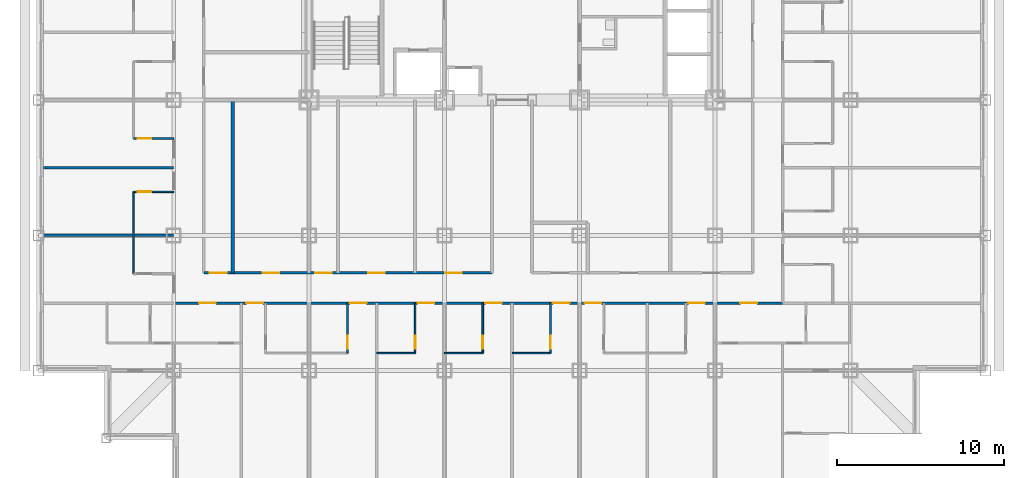
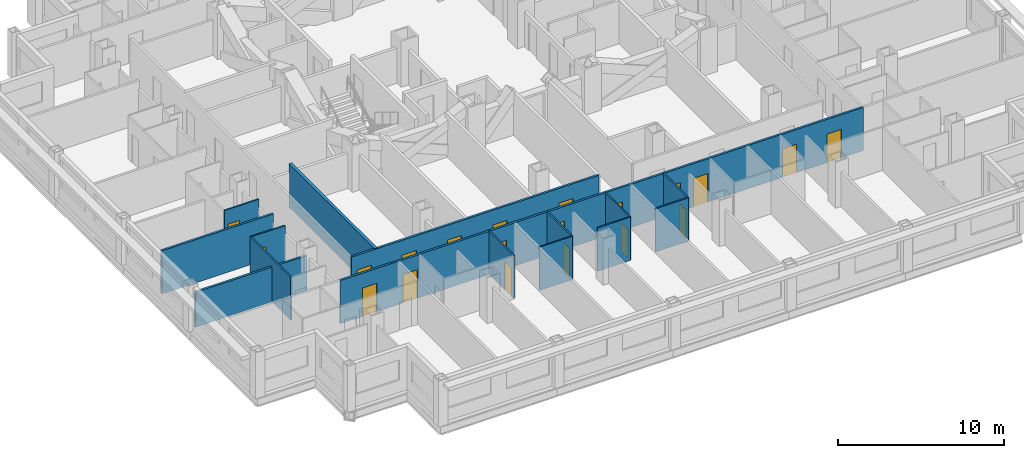
# One storey, part 4 of 13: 20 doors, 15 walls, 20 openings.
"""IFC4 building model written with IfcOpenShell, lengths in metres."""

from ifc_helpers import new_model, si_unit, direction, frame, frame_2d, origin, place, context, subcontext, project, spatial, rectangle, extrude, material, layer, layer_set, type_object, element, fill, save


model = new_model("IFC4")

# Units and contexts
model_context = context("Model", 3, precision=1e-05, world=origin(), true_north=direction((0.0, 1.0)))
body_context = subcontext(model_context, "Body", "Model", "MODEL_VIEW")
ifc_project = project(units=[si_unit("LENGTHUNIT", "METRE"), si_unit("AREAUNIT", "SQUARE_METRE"), si_unit("VOLUMEUNIT", "CUBIC_METRE"), si_unit("PLANEANGLEUNIT", "RADIAN"), si_unit("MASSUNIT", "GRAM", prefix="KILO")], contexts=[model_context])

# Site, building, storey
site_placement = place(None, origin())
site = spatial("IfcSite", under=ifc_project, at=site_placement, CompositionType="ELEMENT")
building_placement = place(site_placement, origin())
building = spatial("IfcBuilding", under=site, at=building_placement, Name="Kopane Lantern Tower", CompositionType="ELEMENT")
storey_placement = place(building_placement, frame((0.0, 0.0, 63.60009765625)))
storey = spatial("IfcBuildingStorey", under=building, at=storey_placement, Name="L15", CompositionType="ELEMENT", Elevation=63.60009765625)

# Wall, opening, door
ifc_material_1 = material(Name="Moisture-resistant board on steel studs", Category="steel")
ifc_layer_1 = layer(ifc_material_1, 0.10009765625)
ifc_layer_set_1 = layer_set([ifc_layer_1], Name="BATHROOM WALL 100")
wall_type_1 = type_object("IfcWallType", Name="BATHROOM WALL 100", PredefinedType="PARTITIONING", material=ifc_layer_set_1)
wall_1_placement = place(storey_placement, frame((18.5, 12.14990234375, 0.0), z_axis=(0.0, 0.0, 1.0), x_axis=(0.0, -1.0, 0.0)))
wall_1 = element("IfcWall", 1, at=wall_1_placement, inside=storey, type_object=wall_type_1, Name="Bathroom Wall 100 L15", PredefinedType="PARTITIONING", context=body_context, shape_type="SweptSolid", body=[
    extrude(rectangle(XDim=3.0, YDim=0.10009765625, at=frame_2d((1.5, 0.0))), origin(), (0.0, 0.0, 1.0), 3.18994140625),
])
opening_1_placement = place(wall_1_placement, frame((1.949951171875, 0.0, 0.0)))
opening_1 = element("IfcOpeningElement", 2, at=opening_1_placement, cuts=wall_1, Name="Opening L15-017", PredefinedType="OPENING", context=body_context, shape_type="SweptSolid", body=[
    extrude(rectangle(XDim=0.800048828125, YDim=2.10009765625, at=frame_2d((0.39990234375, 1.050048828125))), frame((0.0, 0.06005859375, 0.0), z_axis=(0.0, -1.0, 0.0), x_axis=(1.0, 0.0, 0.0)), (0.0, 0.0, 1.0), 0.1201171875),
])
ifc_material_2 = material(Name="Timber door set", Category="wood")
door_type_1 = type_object("IfcDoorType", Name="DOOR D2 800x2100", OperationType="SINGLE_SWING_LEFT", PredefinedType="DOOR", material=ifc_material_2)
door_1_placement = place(opening_1_placement, origin())
door_1 = element("IfcDoor", 3, at=door_1_placement, inside=storey, type_object=door_type_1, Name="Door L15-017", OperationType="SINGLE_SWING_LEFT", OverallHeight=2.10009765625, OverallWidth=0.800048828125, PredefinedType="DOOR", context=body_context, shape_type="SweptSolid", body=[
    extrude(rectangle(XDim=0.800048828125, YDim=2.10009765625, at=frame_2d((0.39990234375, 1.050048828125))), frame((0.0, 0.02490234375, 0.0), z_axis=(0.0, -1.0, 0.0), x_axis=(1.0, 0.0, 0.0)), (0.0, 0.0, 1.0), 0.050048828125),
])
fill(opening_1, door_1)

# Wall
wall_2_placement = place(storey_placement, frame((20.25, 9.14990234375, 0.0), z_axis=(0.0, 0.0, 1.0), x_axis=(1.0, 0.0, 0.0)))
element("IfcWall", 4, at=wall_2_placement, inside=storey, type_object=wall_type_1, Name="Bathroom Wall 100 L15", PredefinedType="PARTITIONING", context=body_context, shape_type="SweptSolid", body=[
    extrude(rectangle(XDim=2.300048828125, YDim=0.10009765625, at=frame_2d((1.14990234375, 0.0))), origin(), (0.0, 0.0, 1.0), 3.18994140625),
])

# Wall, opening, door
wall_3_placement = place(storey_placement, frame((22.550048828125, 12.14990234375, 0.0), z_axis=(0.0, 0.0, 1.0), x_axis=(0.0, -1.0, 0.0)))
wall_3 = element("IfcWall", 5, at=wall_3_placement, inside=storey, type_object=wall_type_1, Name="Bathroom Wall 100 L15", PredefinedType="PARTITIONING", context=body_context, shape_type="SweptSolid", body=[
    extrude(rectangle(XDim=3.0, YDim=0.10009765625, at=frame_2d((1.5, 0.0))), origin(), (0.0, 0.0, 1.0), 3.18994140625),
])
opening_2_placement = place(wall_3_placement, frame((1.949951171875, 0.0, 0.0)))
opening_2 = element("IfcOpeningElement", 6, at=opening_2_placement, cuts=wall_3, Name="Opening L15-019", PredefinedType="OPENING", context=body_context, shape_type="SweptSolid", body=[
    extrude(rectangle(XDim=0.800048828125, YDim=2.10009765625, at=frame_2d((0.39990234375, 1.050048828125))), frame((0.0, 0.06005859375, 0.0), z_axis=(0.0, -1.0, 0.0), x_axis=(1.0, 0.0, 0.0)), (0.0, 0.0, 1.0), 0.1201171875),
])
door_2_placement = place(opening_2_placement, origin())
door_2 = element("IfcDoor", 7, at=door_2_placement, inside=storey, type_object=door_type_1, Name="Door L15-019", OperationType="SINGLE_SWING_LEFT", OverallHeight=2.10009765625, OverallWidth=0.800048828125, PredefinedType="DOOR", context=body_context, shape_type="SweptSolid", body=[
    extrude(rectangle(XDim=0.800048828125, YDim=2.10009765625, at=frame_2d((0.39990234375, 1.050048828125))), frame((0.0, 0.02490234375, 0.0), z_axis=(0.0, -1.0, 0.0), x_axis=(1.0, 0.0, 0.0)), (0.0, 0.0, 1.0), 0.050048828125),
])
fill(opening_2, door_2)

# Wall
wall_4_placement = place(storey_placement, frame((24.300048828125, 9.14990234375, 0.0), z_axis=(0.0, 0.0, 1.0), x_axis=(1.0, 0.0, 0.0)))
element("IfcWall", 8, at=wall_4_placement, inside=storey, type_object=wall_type_1, Name="Bathroom Wall 100 L15", PredefinedType="PARTITIONING", context=body_context, shape_type="SweptSolid", body=[
    extrude(rectangle(XDim=2.300048828125, YDim=0.10009765625, at=frame_2d((1.14990234375, 0.0))), origin(), (0.0, 0.0, 1.0), 3.18994140625),
])

# Wall, opening, door
wall_5_placement = place(storey_placement, frame((26.60009765625, 12.14990234375, 0.0), z_axis=(0.0, 0.0, 1.0), x_axis=(0.0, -1.0, 0.0)))
wall_5 = element("IfcWall", 9, at=wall_5_placement, inside=storey, type_object=wall_type_1, Name="Bathroom Wall 100 L15", PredefinedType="PARTITIONING", context=body_context, shape_type="SweptSolid", body=[
    extrude(rectangle(XDim=3.0, YDim=0.10009765625, at=frame_2d((1.5, 0.0))), origin(), (0.0, 0.0, 1.0), 3.18994140625),
])
opening_3_placement = place(wall_5_placement, frame((1.949951171875, 0.0, 0.0)))
opening_3 = element("IfcOpeningElement", 10, at=opening_3_placement, cuts=wall_5, Name="Opening L15-021", PredefinedType="OPENING", context=body_context, shape_type="SweptSolid", body=[
    extrude(rectangle(XDim=0.800048828125, YDim=2.10009765625, at=frame_2d((0.39990234375, 1.050048828125))), frame((0.0, 0.06005859375, 0.0), z_axis=(0.0, -1.0, 0.0), x_axis=(1.0, 0.0, 0.0)), (0.0, 0.0, 1.0), 0.1201171875),
])
door_3_placement = place(opening_3_placement, origin())
door_3 = element("IfcDoor", 11, at=door_3_placement, inside=storey, type_object=door_type_1, Name="Door L15-021", OperationType="SINGLE_SWING_LEFT", OverallHeight=2.10009765625, OverallWidth=0.800048828125, PredefinedType="DOOR", context=body_context, shape_type="SweptSolid", body=[
    extrude(rectangle(XDim=0.800048828125, YDim=2.10009765625, at=frame_2d((0.39990234375, 1.050048828125))), frame((0.0, 0.02490234375, 0.0), z_axis=(0.0, -1.0, 0.0), x_axis=(1.0, 0.0, 0.0)), (0.0, 0.0, 1.0), 0.050048828125),
])
fill(opening_3, door_3)

# Wall
wall_6_placement = place(storey_placement, frame((28.35009765625, 9.14990234375, 0.0), z_axis=(0.0, 0.0, 1.0), x_axis=(1.0, 0.0, 0.0)))
element("IfcWall", 12, at=wall_6_placement, inside=storey, type_object=wall_type_1, Name="Bathroom Wall 100 L15", PredefinedType="PARTITIONING", context=body_context, shape_type="SweptSolid", body=[
    extrude(rectangle(XDim=2.2998046875, YDim=0.10009765625, at=frame_2d((1.14990234375, 0.0))), origin(), (0.0, 0.0, 1.0), 3.18994140625),
])

# Wall, opening, door
wall_7_placement = place(storey_placement, frame((30.64990234375, 12.14990234375, 0.0), z_axis=(0.0, 0.0, 1.0), x_axis=(0.0, -1.0, 0.0)))
wall_7 = element("IfcWall", 13, at=wall_7_placement, inside=storey, type_object=wall_type_1, Name="Bathroom Wall 100 L15", PredefinedType="PARTITIONING", context=body_context, shape_type="SweptSolid", body=[
    extrude(rectangle(XDim=3.0, YDim=0.10009765625, at=frame_2d((1.5, 0.0))), origin(), (0.0, 0.0, 1.0), 3.18994140625),
])
opening_4_placement = place(wall_7_placement, frame((1.949951171875, 0.0, 0.0)))
opening_4 = element("IfcOpeningElement", 14, at=opening_4_placement, cuts=wall_7, Name="Opening L15-023", PredefinedType="OPENING", context=body_context, shape_type="SweptSolid", body=[
    extrude(rectangle(XDim=0.800048828125, YDim=2.10009765625, at=frame_2d((0.39990234375, 1.050048828125))), frame((0.0, 0.06005859375, 0.0), z_axis=(0.0, -1.0, 0.0), x_axis=(1.0, 0.0, 0.0)), (0.0, 0.0, 1.0), 0.1201171875),
])
door_4_placement = place(opening_4_placement, origin())
door_4 = element("IfcDoor", 15, at=door_4_placement, inside=storey, type_object=door_type_1, Name="Door L15-023", OperationType="SINGLE_SWING_LEFT", OverallHeight=2.10009765625, OverallWidth=0.800048828125, PredefinedType="DOOR", context=body_context, shape_type="SweptSolid", body=[
    extrude(rectangle(XDim=0.800048828125, YDim=2.10009765625, at=frame_2d((0.39990234375, 1.050048828125))), frame((0.0, 0.02490234375, 0.0), z_axis=(0.0, -1.0, 0.0), x_axis=(1.0, 0.0, 0.0)), (0.0, 0.0, 1.0), 0.050048828125),
])
fill(opening_4, door_4)

# Wall
wall_8_placement = place(storey_placement, frame((5.699951171875, 13.89990234375, 0.0), z_axis=(0.0, 0.0, 1.0), x_axis=(0.0, 1.0, 0.0)))
element("IfcWall", 16, at=wall_8_placement, inside=storey, type_object=wall_type_1, Name="Bathroom Wall 100 L15", PredefinedType="PARTITIONING", context=body_context, shape_type="SweptSolid", body=[
    extrude(rectangle(XDim=4.900146484375, YDim=0.10009765625, at=frame_2d((2.4501953125, 0.0))), origin(), (0.0, 0.0, 1.0), 3.18994140625),
])

# Wall, opening, door
wall_9_placement = place(storey_placement, frame((8.10009765625, 18.800048828125, 0.0), z_axis=(0.0, 0.0, 1.0), x_axis=(-1.0, 0.0, 0.0)))
wall_9 = element("IfcWall", 17, at=wall_9_placement, inside=storey, type_object=wall_type_1, Name="Bathroom Wall 100 L15", PredefinedType="PARTITIONING", context=body_context, shape_type="SweptSolid", body=[
    extrude(rectangle(XDim=2.400146484375, YDim=0.10009765625, at=frame_2d((1.2001953125, 0.0))), origin(), (0.0, 0.0, 1.0), 3.18994140625),
])
opening_5_placement = place(wall_9_placement, frame((1.35009765625, 0.0, 0.0)))
opening_5 = element("IfcOpeningElement", 18, at=opening_5_placement, cuts=wall_9, Name="Opening L15-043", PredefinedType="OPENING", context=body_context, shape_type="SweptSolid", body=[
    extrude(rectangle(XDim=0.800048828125, YDim=2.10009765625, at=frame_2d((0.39990234375, 1.050048828125))), frame((0.0, 0.06005859375, 0.0), z_axis=(0.0, -1.0, 0.0), x_axis=(1.0, 0.0, 0.0)), (0.0, 0.0, 1.0), 0.1201171875),
])
door_5_placement = place(opening_5_placement, origin())
door_5 = element("IfcDoor", 19, at=door_5_placement, inside=storey, type_object=door_type_1, Name="Door L15-043", OperationType="SINGLE_SWING_RIGHT", OverallHeight=2.10009765625, OverallWidth=0.800048828125, PredefinedType="DOOR", context=body_context, shape_type="SweptSolid", body=[
    extrude(rectangle(XDim=0.800048828125, YDim=2.10009765625, at=frame_2d((0.39990234375, 1.050048828125))), frame((0.0, 0.02490234375, 0.0), z_axis=(0.0, -1.0, 0.0), x_axis=(1.0, 0.0, 0.0)), (0.0, 0.0, 1.0), 0.050048828125),
])
fill(opening_5, door_5)

wall_10_placement = place(storey_placement, frame((8.10009765625, 22.0, 0.0), z_axis=(0.0, 0.0, 1.0), x_axis=(-1.0, 0.0, 0.0)))
wall_10 = element("IfcWall", 20, at=wall_10_placement, inside=storey, type_object=wall_type_1, Name="Bathroom Wall 100 L15", PredefinedType="PARTITIONING", context=body_context, shape_type="SweptSolid", body=[
    extrude(rectangle(XDim=2.400146484375, YDim=0.10009765625, at=frame_2d((1.2001953125, 0.0))), origin(), (0.0, 0.0, 1.0), 3.18994140625),
])
opening_6_placement = place(wall_10_placement, frame((1.35009765625, 0.0, 0.0)))
opening_6 = element("IfcOpeningElement", 21, at=opening_6_placement, cuts=wall_10, Name="Opening L15-045", PredefinedType="OPENING", context=body_context, shape_type="SweptSolid", body=[
    extrude(rectangle(XDim=0.800048828125, YDim=2.10009765625, at=frame_2d((0.39990234375, 1.050048828125))), frame((0.0, 0.06005859375, 0.0), z_axis=(0.0, -1.0, 0.0), x_axis=(1.0, 0.0, 0.0)), (0.0, 0.0, 1.0), 0.1201171875),
])
door_6_placement = place(opening_6_placement, origin())
door_6 = element("IfcDoor", 22, at=door_6_placement, inside=storey, type_object=door_type_1, Name="Door L15-045", OperationType="SINGLE_SWING_LEFT", OverallHeight=2.10009765625, OverallWidth=0.800048828125, PredefinedType="DOOR", context=body_context, shape_type="SweptSolid", body=[
    extrude(rectangle(XDim=0.800048828125, YDim=2.10009765625, at=frame_2d((0.39990234375, 1.050048828125))), frame((0.0, 0.02490234375, 0.0), z_axis=(0.0, -1.0, 0.0), x_axis=(1.0, 0.0, 0.0)), (0.0, 0.0, 1.0), 0.050048828125),
])
fill(opening_6, door_6)

# Wall, openings, doors
ifc_material_3 = material(Name="Gypsum board on steel studs", Category="steel")
ifc_layer_2 = layer(ifc_material_3, 0.14990234375)
ifc_layer_set_2 = layer_set([ifc_layer_2], Name="CORRIDOR WALL 150 EI 60")
wall_type_2 = type_object("IfcWallType", Name="CORRIDOR WALL 150 EI 60", PredefinedType="PARTITIONING", material=ifc_layer_set_2)
wall_11_placement = place(storey_placement, frame((8.10009765625, 12.14990234375, 0.0), z_axis=(0.0, 0.0, 1.0), x_axis=(1.0, 0.0, 0.0)))
wall_11 = element("IfcWall", 23, at=wall_11_placement, inside=storey, type_object=wall_type_2, Name="Corridor Wall 150 Ei 60 L15", PredefinedType="PARTITIONING", context=body_context, shape_type="SweptSolid", body=[
    extrude(rectangle(XDim=36.449951171875, YDim=0.14990234375, at=frame_2d((18.22509765625, 0.0))), origin(), (0.0, 0.0, 1.0), 3.18994140625),
])
opening_7_placement = place(wall_11_placement, frame((4.35009765625, 0.0, 0.0)))
opening_7 = element("IfcOpeningElement", 24, at=opening_7_placement, cuts=wall_11, Name="Opening L15-016", PredefinedType="OPENING", context=body_context, shape_type="SweptSolid", body=[
    extrude(rectangle(XDim=1.0, YDim=2.10009765625, at=frame_2d((0.5, 1.050048828125))), frame((0.0, 0.0849609375, 0.0), z_axis=(0.0, -1.0, 0.0), x_axis=(1.0, 0.0, 0.0)), (0.0, 0.0, 1.0), 0.169921875),
])
opening_8_placement = place(wall_11_placement, frame((10.550048828125, 0.0, 0.0)))
opening_8 = element("IfcOpeningElement", 25, at=opening_8_placement, cuts=wall_11, Name="Opening L15-018", PredefinedType="OPENING", context=body_context, shape_type="SweptSolid", body=[
    extrude(rectangle(XDim=1.0, YDim=2.10009765625, at=frame_2d((0.5, 1.050048828125))), frame((0.0, 0.0849609375, 0.0), z_axis=(0.0, -1.0, 0.0), x_axis=(1.0, 0.0, 0.0)), (0.0, 0.0, 1.0), 0.169921875),
])
opening_9_placement = place(wall_11_placement, frame((14.60009765625, 0.0, 0.0)))
opening_9 = element("IfcOpeningElement", 26, at=opening_9_placement, cuts=wall_11, Name="Opening L15-020", PredefinedType="OPENING", context=body_context, shape_type="SweptSolid", body=[
    extrude(rectangle(XDim=1.0, YDim=2.10009765625, at=frame_2d((0.5, 1.050048828125))), frame((0.0, 0.0849609375, 0.0), z_axis=(0.0, -1.0, 0.0), x_axis=(1.0, 0.0, 0.0)), (0.0, 0.0, 1.0), 0.169921875),
])
opening_10_placement = place(wall_11_placement, frame((18.64990234375, 0.0, 0.0)))
opening_10 = element("IfcOpeningElement", 27, at=opening_10_placement, cuts=wall_11, Name="Opening L15-022", PredefinedType="OPENING", context=body_context, shape_type="SweptSolid", body=[
    extrude(rectangle(XDim=1.0, YDim=2.10009765625, at=frame_2d((0.5, 1.050048828125))), frame((0.0, 0.0849609375, 0.0), z_axis=(0.0, -1.0, 0.0), x_axis=(1.0, 0.0, 0.0)), (0.0, 0.0, 1.0), 0.169921875),
])
opening_11_placement = place(wall_11_placement, frame((22.699951171875, 0.0, 0.0)))
opening_11 = element("IfcOpeningElement", 28, at=opening_11_placement, cuts=wall_11, Name="Opening L15-024", PredefinedType="OPENING", context=body_context, shape_type="SweptSolid", body=[
    extrude(rectangle(XDim=1.0, YDim=2.10009765625, at=frame_2d((0.5, 1.050048828125))), frame((0.0, 0.0849609375, 0.0), z_axis=(0.0, -1.0, 0.0), x_axis=(1.0, 0.0, 0.0)), (0.0, 0.0, 1.0), 0.169921875),
])
opening_12_placement = place(wall_11_placement, frame((24.60009765625, 0.0, 0.0)))
opening_12 = element("IfcOpeningElement", 29, at=opening_12_placement, cuts=wall_11, Name="Opening L15-026", PredefinedType="OPENING", context=body_context, shape_type="SweptSolid", body=[
    extrude(rectangle(XDim=1.0, YDim=2.10009765625, at=frame_2d((0.5, 1.050048828125))), frame((0.0, 0.0849609375, 0.0), z_axis=(0.0, -1.0, 0.0), x_axis=(1.0, 0.0, 0.0)), (0.0, 0.0, 1.0), 0.169921875),
])
opening_13_placement = place(wall_11_placement, frame((30.800048828125, 0.0, 0.0)))
opening_13 = element("IfcOpeningElement", 30, at=opening_13_placement, cuts=wall_11, Name="Opening L15-028", PredefinedType="OPENING", context=body_context, shape_type="SweptSolid", body=[
    extrude(rectangle(XDim=1.0, YDim=2.10009765625, at=frame_2d((0.5, 1.050048828125))), frame((0.0, 0.0849609375, 0.0), z_axis=(0.0, -1.0, 0.0), x_axis=(1.0, 0.0, 0.0)), (0.0, 0.0, 1.0), 0.169921875),
])
opening_14_placement = place(wall_11_placement, frame((1.52490234375, 0.0, 0.0)))
opening_14 = element("IfcOpeningElement", 31, at=opening_14_placement, cuts=wall_11, Name="Opening L15-067", PredefinedType="OPENING", context=body_context, shape_type="SweptSolid", body=[
    extrude(rectangle(XDim=1.0, YDim=2.10009765625, at=frame_2d((0.5, 1.050048828125))), frame((0.0, 0.0849609375, 0.0), z_axis=(0.0, -1.0, 0.0), x_axis=(1.0, 0.0, 0.0)), (0.0, 0.0, 1.0), 0.169921875),
])
opening_15_placement = place(wall_11_placement, frame((33.925048828125, 0.0, 0.0)))
opening_15 = element("IfcOpeningElement", 32, at=opening_15_placement, cuts=wall_11, Name="Opening L15-072", PredefinedType="OPENING", context=body_context, shape_type="SweptSolid", body=[
    extrude(rectangle(XDim=1.0, YDim=2.10009765625, at=frame_2d((0.5, 1.050048828125))), frame((0.0, 0.0849609375, 0.0), z_axis=(0.0, -1.0, 0.0), x_axis=(1.0, 0.0, 0.0)), (0.0, 0.0, 1.0), 0.169921875),
])
ifc_material_4 = material(Name="Steel door set", Category="steel")
door_type_2 = type_object("IfcDoorType", Name="DOOR D1 1000x2100 FD30S", OperationType="SINGLE_SWING_LEFT", PredefinedType="DOOR", material=ifc_material_4)
door_7_placement = place(opening_7_placement, origin())
door_7 = element("IfcDoor", 33, at=door_7_placement, inside=storey, type_object=door_type_2, Name="Door L15-016", OperationType="SINGLE_SWING_LEFT", OverallHeight=2.10009765625, OverallWidth=1.0, PredefinedType="DOOR", context=body_context, shape_type="SweptSolid", body=[
    extrude(rectangle(XDim=1.0, YDim=2.10009765625, at=frame_2d((0.5, 1.050048828125))), frame((0.0, 0.02490234375, 0.0), z_axis=(0.0, -1.0, 0.0), x_axis=(1.0, 0.0, 0.0)), (0.0, 0.0, 1.0), 0.050048828125),
])
fill(opening_7, door_7)
door_8_placement = place(opening_8_placement, origin())
door_8 = element("IfcDoor", 34, at=door_8_placement, inside=storey, type_object=door_type_2, Name="Door L15-018", OperationType="SINGLE_SWING_RIGHT", OverallHeight=2.10009765625, OverallWidth=1.0, PredefinedType="DOOR", context=body_context, shape_type="SweptSolid", body=[
    extrude(rectangle(XDim=1.0, YDim=2.10009765625, at=frame_2d((0.5, 1.050048828125))), frame((0.0, 0.02490234375, 0.0), z_axis=(0.0, -1.0, 0.0), x_axis=(1.0, 0.0, 0.0)), (0.0, 0.0, 1.0), 0.050048828125),
])
fill(opening_8, door_8)
door_9_placement = place(opening_9_placement, origin())
door_9 = element("IfcDoor", 35, at=door_9_placement, inside=storey, type_object=door_type_2, Name="Door L15-020", OperationType="SINGLE_SWING_RIGHT", OverallHeight=2.10009765625, OverallWidth=1.0, PredefinedType="DOOR", context=body_context, shape_type="SweptSolid", body=[
    extrude(rectangle(XDim=1.0, YDim=2.10009765625, at=frame_2d((0.5, 1.050048828125))), frame((0.0, 0.02490234375, 0.0), z_axis=(0.0, -1.0, 0.0), x_axis=(1.0, 0.0, 0.0)), (0.0, 0.0, 1.0), 0.050048828125),
])
fill(opening_9, door_9)
door_10_placement = place(opening_10_placement, origin())
door_10 = element("IfcDoor", 36, at=door_10_placement, inside=storey, type_object=door_type_2, Name="Door L15-022", OperationType="SINGLE_SWING_RIGHT", OverallHeight=2.10009765625, OverallWidth=1.0, PredefinedType="DOOR", context=body_context, shape_type="SweptSolid", body=[
    extrude(rectangle(XDim=1.0, YDim=2.10009765625, at=frame_2d((0.5, 1.050048828125))), frame((0.0, 0.02490234375, 0.0), z_axis=(0.0, -1.0, 0.0), x_axis=(1.0, 0.0, 0.0)), (0.0, 0.0, 1.0), 0.050048828125),
])
fill(opening_10, door_10)
door_11_placement = place(opening_11_placement, origin())
door_11 = element("IfcDoor", 37, at=door_11_placement, inside=storey, type_object=door_type_2, Name="Door L15-024", OperationType="SINGLE_SWING_RIGHT", OverallHeight=2.10009765625, OverallWidth=1.0, PredefinedType="DOOR", context=body_context, shape_type="SweptSolid", body=[
    extrude(rectangle(XDim=1.0, YDim=2.10009765625, at=frame_2d((0.5, 1.050048828125))), frame((0.0, 0.02490234375, 0.0), z_axis=(0.0, -1.0, 0.0), x_axis=(1.0, 0.0, 0.0)), (0.0, 0.0, 1.0), 0.050048828125),
])
fill(opening_11, door_11)
door_12_placement = place(opening_12_placement, origin())
door_12 = element("IfcDoor", 38, at=door_12_placement, inside=storey, type_object=door_type_2, Name="Door L15-026", OperationType="SINGLE_SWING_LEFT", OverallHeight=2.10009765625, OverallWidth=1.0, PredefinedType="DOOR", context=body_context, shape_type="SweptSolid", body=[
    extrude(rectangle(XDim=1.0, YDim=2.10009765625, at=frame_2d((0.5, 1.050048828125))), frame((0.0, 0.02490234375, 0.0), z_axis=(0.0, -1.0, 0.0), x_axis=(1.0, 0.0, 0.0)), (0.0, 0.0, 1.0), 0.050048828125),
])
fill(opening_12, door_12)
door_13_placement = place(opening_13_placement, origin())
door_13 = element("IfcDoor", 39, at=door_13_placement, inside=storey, type_object=door_type_2, Name="Door L15-028", OperationType="SINGLE_SWING_RIGHT", OverallHeight=2.10009765625, OverallWidth=1.0, PredefinedType="DOOR", context=body_context, shape_type="SweptSolid", body=[
    extrude(rectangle(XDim=1.0, YDim=2.10009765625, at=frame_2d((0.5, 1.050048828125))), frame((0.0, 0.02490234375, 0.0), z_axis=(0.0, -1.0, 0.0), x_axis=(1.0, 0.0, 0.0)), (0.0, 0.0, 1.0), 0.050048828125),
])
fill(opening_13, door_13)
door_14_placement = place(opening_14_placement, origin())
door_14 = element("IfcDoor", 40, at=door_14_placement, inside=storey, type_object=door_type_2, Name="Door L15-067", OperationType="SINGLE_SWING_LEFT", OverallHeight=2.10009765625, OverallWidth=1.0, PredefinedType="DOOR", context=body_context, shape_type="SweptSolid", body=[
    extrude(rectangle(XDim=1.0, YDim=2.10009765625, at=frame_2d((0.5, 1.050048828125))), frame((0.0, 0.02490234375, 0.0), z_axis=(0.0, -1.0, 0.0), x_axis=(1.0, 0.0, 0.0)), (0.0, 0.0, 1.0), 0.050048828125),
])
fill(opening_14, door_14)
door_15_placement = place(opening_15_placement, origin())
door_15 = element("IfcDoor", 41, at=door_15_placement, inside=storey, type_object=door_type_2, Name="Door L15-072", OperationType="SINGLE_SWING_RIGHT", OverallHeight=2.10009765625, OverallWidth=1.0, PredefinedType="DOOR", context=body_context, shape_type="SweptSolid", body=[
    extrude(rectangle(XDim=1.0, YDim=2.10009765625, at=frame_2d((0.5, 1.050048828125))), frame((0.0, 0.02490234375, 0.0), z_axis=(0.0, -1.0, 0.0), x_axis=(1.0, 0.0, 0.0)), (0.0, 0.0, 1.0), 0.050048828125),
])
fill(opening_15, door_15)

wall_12_placement = place(storey_placement, frame((9.89990234375, 13.949951171875, 0.0), z_axis=(0.0, 0.0, 1.0), x_axis=(1.0, 0.0, 0.0)))
wall_12 = element("IfcWall", 42, at=wall_12_placement, inside=storey, type_object=wall_type_2, Name="Corridor Wall 150 Ei 60 L15", PredefinedType="PARTITIONING", context=body_context, shape_type="SweptSolid", body=[
    extrude(rectangle(XDim=17.239990234375, YDim=0.14990234375, at=frame_2d((8.6201171875, 0.0))), origin(), (0.0, 0.0, 1.0), 3.18994140625),
])
opening_16_placement = place(wall_12_placement, frame((0.36962890625, 0.0, 0.0)))
opening_16 = element("IfcOpeningElement", 43, at=opening_16_placement, cuts=wall_12, Name="Opening L15-007", PredefinedType="OPENING", context=body_context, shape_type="SweptSolid", body=[
    extrude(rectangle(XDim=1.0, YDim=2.10009765625, at=frame_2d((0.5, 1.050048828125))), frame((0.0, 0.0849609375, 0.0), z_axis=(0.0, -1.0, 0.0), x_axis=(1.0, 0.0, 0.0)), (0.0, 0.0, 1.0), 0.169921875),
])
opening_17_placement = place(wall_12_placement, frame((3.51953125, 0.0, 0.0)))
opening_17 = element("IfcOpeningElement", 44, at=opening_17_placement, cuts=wall_12, Name="Opening L15-008", PredefinedType="OPENING", context=body_context, shape_type="SweptSolid", body=[
    extrude(rectangle(XDim=1.0, YDim=2.10009765625, at=frame_2d((0.5, 1.050048828125))), frame((0.0, 0.0849609375, 0.0), z_axis=(0.0, -1.0, 0.0), x_axis=(1.0, 0.0, 0.0)), (0.0, 0.0, 1.0), 0.169921875),
])
opening_18_placement = place(wall_12_placement, frame((6.669677734375, 0.0, 0.0)))
opening_18 = element("IfcOpeningElement", 45, at=opening_18_placement, cuts=wall_12, Name="Opening L15-009", PredefinedType="OPENING", context=body_context, shape_type="SweptSolid", body=[
    extrude(rectangle(XDim=1.0, YDim=2.10009765625, at=frame_2d((0.5, 1.050048828125))), frame((0.0, 0.0849609375, 0.0), z_axis=(0.0, -1.0, 0.0), x_axis=(1.0, 0.0, 0.0)), (0.0, 0.0, 1.0), 0.169921875),
])
opening_19_placement = place(wall_12_placement, frame((9.841796875, 0.0, 0.0)))
opening_19 = element("IfcOpeningElement", 46, at=opening_19_placement, cuts=wall_12, Name="Opening L15-010", PredefinedType="OPENING", context=body_context, shape_type="SweptSolid", body=[
    extrude(rectangle(XDim=1.0, YDim=2.10009765625, at=frame_2d((0.5, 1.050048828125))), frame((0.0, 0.0849609375, 0.0), z_axis=(0.0, -1.0, 0.0), x_axis=(1.0, 0.0, 0.0)), (0.0, 0.0, 1.0), 0.169921875),
])
opening_20_placement = place(wall_12_placement, frame((14.447265625, 0.0, 0.0)))
opening_20 = element("IfcOpeningElement", 47, at=opening_20_placement, cuts=wall_12, Name="Opening L15-011", PredefinedType="OPENING", context=body_context, shape_type="SweptSolid", body=[
    extrude(rectangle(XDim=1.0, YDim=2.10009765625, at=frame_2d((0.5, 1.050048828125))), frame((0.0, 0.0849609375, 0.0), z_axis=(0.0, -1.0, 0.0), x_axis=(1.0, 0.0, 0.0)), (0.0, 0.0, 1.0), 0.169921875),
])
ifc_material_5 = material(Name="Steel door set", Category="steel")
door_type_3 = type_object("IfcDoorType", Name="DOOR D5 1000x2100 FD60", OperationType="SINGLE_SWING_LEFT", PredefinedType="DOOR", material=ifc_material_5)
door_16_placement = place(opening_16_placement, origin())
door_16 = element("IfcDoor", 48, at=door_16_placement, inside=storey, type_object=door_type_3, Name="Door L15-007", OperationType="SINGLE_SWING_LEFT", OverallHeight=2.10009765625, OverallWidth=1.0, PredefinedType="DOOR", context=body_context, shape_type="SweptSolid", body=[
    extrude(rectangle(XDim=1.0, YDim=2.10009765625, at=frame_2d((0.5, 1.050048828125))), frame((0.0, 0.02490234375, 0.0), z_axis=(0.0, -1.0, 0.0), x_axis=(1.0, 0.0, 0.0)), (0.0, 0.0, 1.0), 0.050048828125),
])
fill(opening_16, door_16)
door_17_placement = place(opening_17_placement, origin())
door_17 = element("IfcDoor", 49, at=door_17_placement, inside=storey, type_object=door_type_3, Name="Door L15-008", OperationType="SINGLE_SWING_RIGHT", OverallHeight=2.10009765625, OverallWidth=1.0, PredefinedType="DOOR", context=body_context, shape_type="SweptSolid", body=[
    extrude(rectangle(XDim=1.0, YDim=2.10009765625, at=frame_2d((0.5, 1.050048828125))), frame((0.0, 0.02490234375, 0.0), z_axis=(0.0, -1.0, 0.0), x_axis=(1.0, 0.0, 0.0)), (0.0, 0.0, 1.0), 0.050048828125),
])
fill(opening_17, door_17)
door_18_placement = place(opening_18_placement, origin())
door_18 = element("IfcDoor", 50, at=door_18_placement, inside=storey, type_object=door_type_3, Name="Door L15-009", OperationType="SINGLE_SWING_LEFT", OverallHeight=2.10009765625, OverallWidth=1.0, PredefinedType="DOOR", context=body_context, shape_type="SweptSolid", body=[
    extrude(rectangle(XDim=1.0, YDim=2.10009765625, at=frame_2d((0.5, 1.050048828125))), frame((0.0, 0.02490234375, 0.0), z_axis=(0.0, -1.0, 0.0), x_axis=(1.0, 0.0, 0.0)), (0.0, 0.0, 1.0), 0.050048828125),
])
fill(opening_18, door_18)
door_19_placement = place(opening_19_placement, origin())
door_19 = element("IfcDoor", 51, at=door_19_placement, inside=storey, type_object=door_type_3, Name="Door L15-010", OperationType="SINGLE_SWING_RIGHT", OverallHeight=2.10009765625, OverallWidth=1.0, PredefinedType="DOOR", context=body_context, shape_type="SweptSolid", body=[
    extrude(rectangle(XDim=1.0, YDim=2.10009765625, at=frame_2d((0.5, 1.050048828125))), frame((0.0, 0.02490234375, 0.0), z_axis=(0.0, -1.0, 0.0), x_axis=(1.0, 0.0, 0.0)), (0.0, 0.0, 1.0), 0.050048828125),
])
fill(opening_19, door_19)
door_20_placement = place(opening_20_placement, origin())
door_20 = element("IfcDoor", 52, at=door_20_placement, inside=storey, type_object=door_type_3, Name="Door L15-011", OperationType="SINGLE_SWING_LEFT", OverallHeight=2.10009765625, OverallWidth=1.0, PredefinedType="DOOR", context=body_context, shape_type="SweptSolid", body=[
    extrude(rectangle(XDim=1.0, YDim=2.10009765625, at=frame_2d((0.5, 1.050048828125))), frame((0.0, 0.02490234375, 0.0), z_axis=(0.0, -1.0, 0.0), x_axis=(1.0, 0.0, 0.0)), (0.0, 0.0, 1.0), 0.050048828125),
])
fill(opening_20, door_20)

# Walls
ifc_material_6 = material(Name="Gypsum board on steel studs", Category="steel")
ifc_layer_3 = layer(ifc_material_6, 0.14990234375)
ifc_layer_set_3 = layer_set([ifc_layer_3], Name="DEMISING WALL 150 EI 60")
wall_type_3 = type_object("IfcWallType", Name="DEMISING WALL 150 EI 60", PredefinedType="PARTITIONING", material=ifc_layer_set_3)
wall_13_placement = place(storey_placement, frame((8.10009765625, 16.199951171875, 0.0), z_axis=(0.0, 0.0, 1.0), x_axis=(-1.0, 0.0, 0.0)))
element("IfcWall", 53, at=wall_13_placement, inside=storey, type_object=wall_type_3, Name="Demising Wall 150 Ei 60 L15", PredefinedType="PARTITIONING", context=body_context, shape_type="SweptSolid", body=[
    extrude(rectangle(XDim=7.800048828125, YDim=0.14990234375, at=frame_2d((3.89990234375, 0.0))), origin(), (0.0, 0.0, 1.0), 2.57763671875),
])
wall_14_placement = place(storey_placement, frame((8.10009765625, 20.25, 0.0), z_axis=(0.0, 0.0, 1.0), x_axis=(-1.0, 0.0, 0.0)))
element("IfcWall", 54, at=wall_14_placement, inside=storey, type_object=wall_type_3, Name="Demising Wall 150 Ei 60 L15", PredefinedType="PARTITIONING", context=body_context, shape_type="SweptSolid", body=[
    extrude(rectangle(XDim=7.800048828125, YDim=0.14990234375, at=frame_2d((3.89990234375, 0.0))), origin(), (0.0, 0.0, 1.0), 3.18994140625),
])
ifc_material_7 = material(Name="Concrete masonry", Category="masonry")
ifc_layer_4 = layer(ifc_material_7, 0.199951171875)
ifc_layer_set_4 = layer_set([ifc_layer_4], Name="PLANT ROOM WALL 200 EI 120")
wall_type_4 = type_object("IfcWallType", Name="PLANT ROOM WALL 200 EI 120", PredefinedType="SOLIDWALL", material=ifc_layer_set_4)
wall_15_placement = place(storey_placement, frame((11.63916015625, 13.949951171875, 0.0), z_axis=(0.0, 0.0, 1.0), x_axis=(0.0, 1.0, 0.0)))
element("IfcWall", 55, at=wall_15_placement, inside=storey, type_object=wall_type_4, Name="Plant Room Wall 200 Ei 120 L15", PredefinedType="SOLIDWALL", context=body_context, shape_type="SweptSolid", body=[
    extrude(rectangle(XDim=10.35009765625, YDim=0.199951171875, at=frame_2d((5.175048828125, 0.0))), origin(), (0.0, 0.0, 1.0), 3.18994140625),
])

save(model, "model.ifc")
